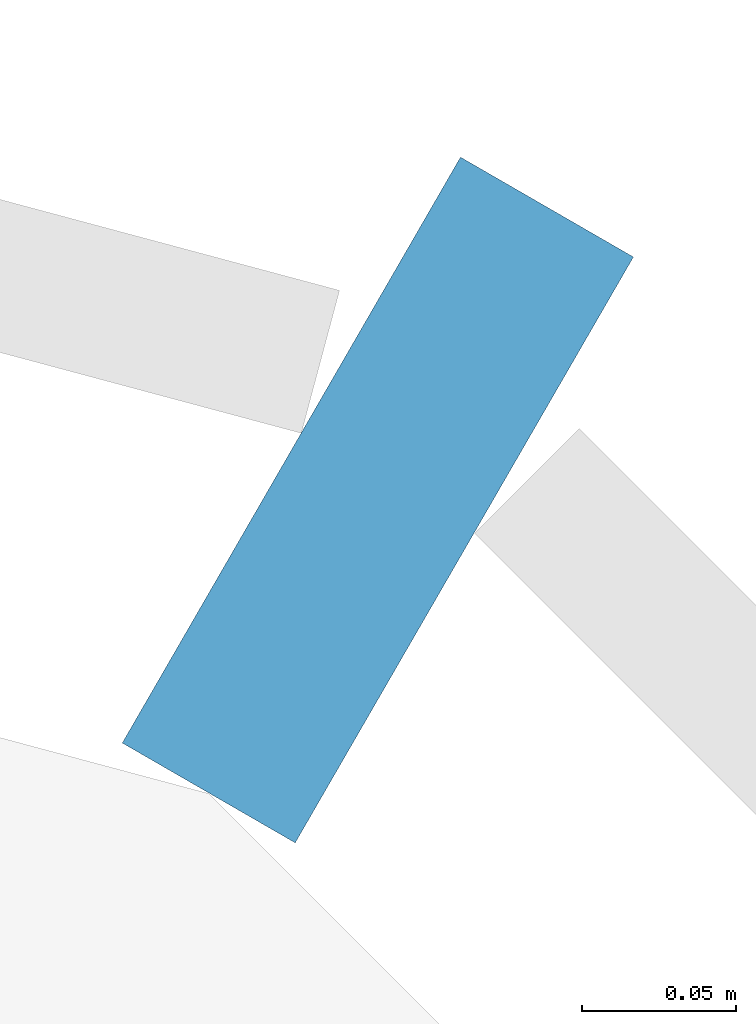
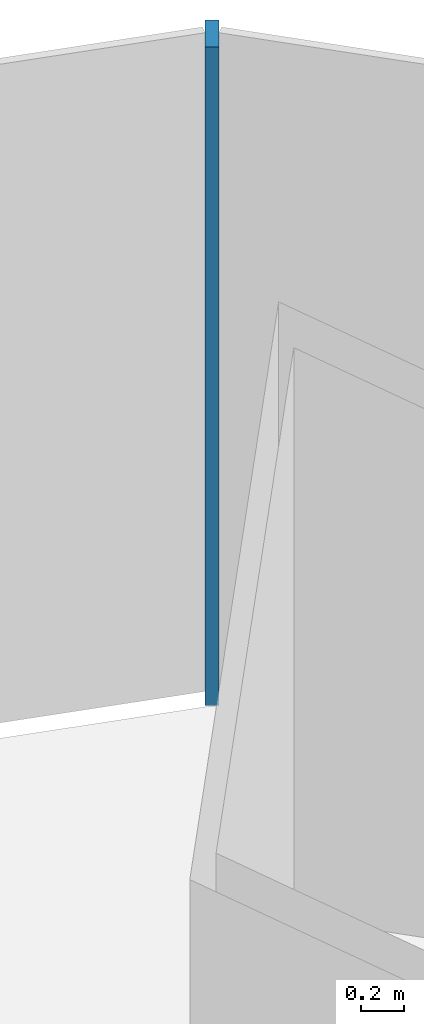
# One storey, part 8 of 20: 1 member, 1 element without a shape of its own.
"""IFC4 building model written with IfcOpenShell, lengths in metres."""

from ifc_helpers import new_model, si_unit, direction, frame, origin, origin_2d, place, context, subcontext, project, spatial, rectangle, extrude, material, material_profile, profile_set, type_object, element, aggregate, save


model = new_model("IFC4")

# Units and contexts
model_context = context("Model", 3, precision=1e-05, world=origin(), true_north=direction((0.0, 1.0)))
body_context = subcontext(model_context, "Body", "Model", "MODEL_VIEW")
ifc_project = project(units=[si_unit("LENGTHUNIT", "METRE"), si_unit("AREAUNIT", "SQUARE_METRE"), si_unit("VOLUMEUNIT", "CUBIC_METRE"), si_unit("PLANEANGLEUNIT", "RADIAN"), si_unit("MASSUNIT", "GRAM", prefix="KILO")], contexts=[model_context])

# Site, building, storey
site_placement = place(None, origin())
site = spatial("IfcSite", under=ifc_project, at=site_placement, CompositionType="ELEMENT")
building_placement = place(site_placement, origin())
building = spatial("IfcBuilding", under=site, at=building_placement, Name="Khuree Lantern Residences", CompositionType="ELEMENT")
storey_placement = place(building_placement, frame((0.0, 0.0, 28.5)))
storey = spatial("IfcBuildingStorey", under=building, at=storey_placement, Name="L06", CompositionType="ELEMENT", Elevation=28.5)

# Curtain wall, member
ifc_material = material(Name="Bronze anodised aluminium", Category="aluminium")
curtain_wall_type = type_object("IfcCurtainWallType", Name="CW-T2 TOWER CORNER CURTAIN WALL", PredefinedType="USERDEFINED", material=ifc_material)
curtain_wall_placement = place(storey_placement, origin())
curtain_wall = element("IfcCurtainWall", 1, at=curtain_wall_placement, inside=storey, type_object=curtain_wall_type, Name="L06 NORTH-EAST CORNER CURTAIN WALL", ObjectType="Faceted corner curtain wall", PredefinedType="USERDEFINED")
ifc_material_profile = material_profile(ifc_material, rectangle(XDim=0.06494140625, YDim=0.219970703125, at=origin_2d()), Name="M1 65X220")
ifc_profile_set = profile_set([ifc_material_profile], Name="Bronze anodised aluminium")
member_type = type_object("IfcMemberType", Name="M1 BRONZE MULLION TOWER 65X220", PredefinedType="MULLION", material=ifc_profile_set)
member_placement = place(storey_placement, frame((28.97998046875, 31.16162109375, 0.0), z_axis=(0.0, 0.0, 1.0), x_axis=(-0.86602537092, 0.500000056923, 0.0)))
member = element("IfcMember", 2, at=member_placement, type_object=member_type, Name="L06 NORTH-EAST CORNER MULLION 17", PredefinedType="MULLION", context=body_context, shape_type="SweptSolid", body=[
    extrude(rectangle(XDim=0.06494140625, YDim=0.219970703125, at=origin_2d()), origin(), (0.0, 0.0, 1.0), 3.75),
])
aggregate(curtain_wall, [member])

save(model, "model.ifc")
